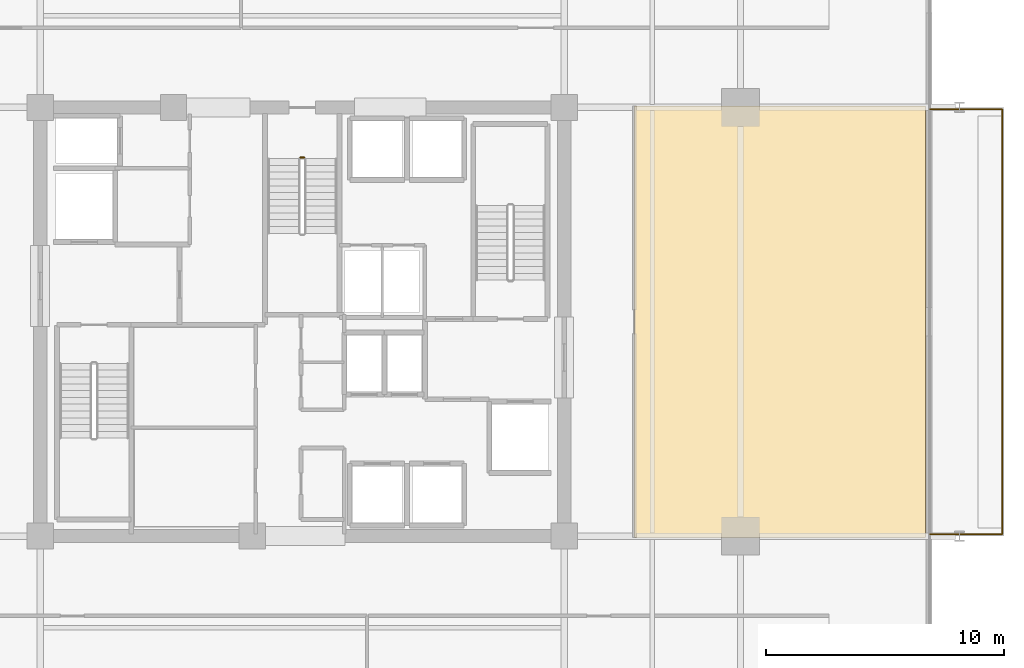
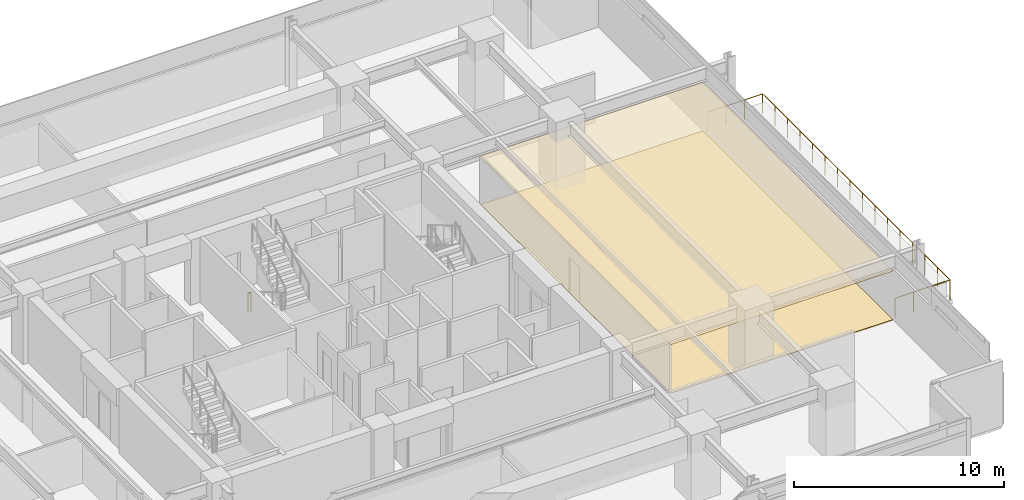
# One storey, part 23 of 24: 2 coverings, 2 railings.
"""IFC4 building model written with IfcOpenShell, lengths in metres."""

from ifc_helpers import new_model, si_unit, direction, frame, origin, origin_2d, place, context, subcontext, project, spatial, polyline, circle, outline, extrude, material, layer, layer_set, type_object, element, save


model = new_model("IFC4")

# Units and contexts
model_context = context("Model", 3, precision=1e-05, world=origin(), true_north=direction((0.0, 1.0)))
body_context = subcontext(model_context, "Body", "Model", "MODEL_VIEW")
ifc_project = project(units=[si_unit("LENGTHUNIT", "METRE"), si_unit("AREAUNIT", "SQUARE_METRE"), si_unit("VOLUMEUNIT", "CUBIC_METRE"), si_unit("PLANEANGLEUNIT", "RADIAN"), si_unit("MASSUNIT", "GRAM", prefix="KILO")], contexts=[model_context])

# Site, building, storey
site_placement = place(None, origin())
site = spatial("IfcSite", under=ifc_project, at=site_placement, CompositionType="ELEMENT")
building_placement = place(site_placement, origin())
building = spatial("IfcBuilding", under=site, at=building_placement, Name="Kovane Verandah Tower", CompositionType="ELEMENT")
storey_placement = place(building_placement, frame((0.0, 0.0, 132.39990234375)))
storey = spatial("IfcBuildingStorey", under=building, at=storey_placement, Name="L30", CompositionType="ELEMENT", Elevation=132.39990234375)

# Coverings
ifc_material_1 = material(Name="Perforated Acoustic Mineral-Fibre Ceiling Tile", Category="gypsum")
ifc_layer_1 = layer(ifc_material_1, 0.02490234375)
ifc_layer_set_1 = layer_set([ifc_layer_1], Name="Perforated Acoustic Mineral-Fibre Ceiling Tile")
covering_type_1 = type_object("IfcCoveringType", Name="CV-CEIL-25", PredefinedType="CEILING", material=ifc_layer_set_1)
covering_1_placement = place(storey_placement, frame((0.0, 0.0, 2.8251953125)))
element("IfcCovering", 1, at=covering_1_placement, inside=storey, type_object=covering_type_1, Name="L30 Document and Print Room E1 Acoustic Ceiling", PredefinedType="CEILING", context=body_context, shape_type="SweptSolid", body=[
    extrude(outline(polyline([(53.949951171875, 18.449951171875), (66.1640625, 18.449951171875), (66.1640625, 36.550048828125), (53.949951171875, 36.550048828125), (53.949951171875, 18.449951171875)])), origin(), (0.0, 0.0, 1.0), 0.02490234375),
])
ifc_material_2 = material(Name="Polished Terrazzo and Raised-Access Carpet Tile Finish", Category="concrete")
ifc_layer_2 = layer(ifc_material_2, 0.030029296875)
ifc_layer_set_2 = layer_set([ifc_layer_2], Name="Polished Terrazzo and Raised-Access Carpet Tile Finish")
covering_type_2 = type_object("IfcCoveringType", Name="CV-FLOR-30", PredefinedType="FLOORING", material=ifc_layer_set_2)
covering_2_placement = place(storey_placement, origin())
element("IfcCovering", 2, at=covering_2_placement, inside=storey, type_object=covering_type_2, Name="L30 Document and Print Room E1 Floor Finish", PredefinedType="FLOORING", context=body_context, shape_type="SweptSolid", body=[
    extrude(outline(polyline([(53.949951171875, 18.449951171875), (66.1640625, 18.449951171875), (66.1640625, 36.550048828125), (53.949951171875, 36.550048828125), (53.949951171875, 18.449951171875)])), origin(), (0.0, 0.0, 1.0), 0.030029296875),
])

# Railings
ifc_material_3 = material(Name="Laminated Glass and Pale-Champagne Stainless Balustrade", Category="glass")
railing_type_1 = type_object("IfcRailingType", Name="RL-BAL-1150", PredefinedType="BALUSTRADE", material=ifc_material_3)
railing_1_placement = place(storey_placement, frame((66.364013671875, 18.580078125, 0.0)))
element("IfcRailing", 3, at=railing_1_placement, inside=storey, type_object=railing_type_1, Name="L30 E Verandah Glass Balustrade", PredefinedType="BALUSTRADE", context=body_context, shape_type="SweptSolid", body=[
    extrude(circle(Radius=0.02392578125, at=origin_2d()), frame((0.0, 0.0, 1.1259765625), z_axis=(1.0, 0.0, 0.0), x_axis=(0.0, 1.0, 0.0)), (0.0, 0.0, 1.0), 3.02001953125),
    extrude(circle(Radius=0.02392578125, at=origin_2d()), frame((3.02001953125, 0.0, 1.1259765625), z_axis=(0.0, 1.0, 0.0), x_axis=(-1.0, 0.0, 0.0)), (0.0, 0.0, 1.0), 17.83984375),
    extrude(circle(Radius=0.02392578125, at=origin_2d()), frame((3.02001953125, 17.83984375, 1.1259765625), z_axis=(-1.0, 0.0, 0.0), x_axis=(0.0, -1.0, 0.0)), (0.0, 0.0, 1.0), 3.02001953125),
    extrude(circle(Radius=0.02099609375, at=origin_2d()), origin(), (0.0, 0.0, 1.0), 1.101806640625),
    extrude(circle(Radius=0.02099609375, at=origin_2d()), frame((1.006591796875, 0.0, 0.0)), (0.0, 0.0, 1.0), 1.101806640625),
    extrude(circle(Radius=0.02099609375, at=origin_2d()), frame((2.013427734375, 0.0, 0.0)), (0.0, 0.0, 1.0), 1.101806640625),
    extrude(circle(Radius=0.02099609375, at=origin_2d()), frame((3.02001953125, 0.0, 0.0)), (0.0, 0.0, 1.0), 1.101806640625),
    extrude(circle(Radius=0.02099609375, at=origin_2d()), frame((3.02001953125, 1.189208984375, 0.0)), (0.0, 0.0, 1.0), 1.101806640625),
    extrude(circle(Radius=0.02099609375, at=origin_2d()), frame((3.02001953125, 2.378662109375, 0.0)), (0.0, 0.0, 1.0), 1.101806640625),
    extrude(circle(Radius=0.02099609375, at=origin_2d()), frame((3.02001953125, 3.56787109375, 0.0)), (0.0, 0.0, 1.0), 1.101806640625),
    extrude(circle(Radius=0.02099609375, at=origin_2d()), frame((3.02001953125, 4.75732421875, 0.0)), (0.0, 0.0, 1.0), 1.101806640625),
    extrude(circle(Radius=0.02099609375, at=origin_2d()), frame((3.02001953125, 5.946533203125, 0.0)), (0.0, 0.0, 1.0), 1.101806640625),
    extrude(circle(Radius=0.02099609375, at=origin_2d()), frame((3.02001953125, 7.135986328125, 0.0)), (0.0, 0.0, 1.0), 1.101806640625),
    extrude(circle(Radius=0.02099609375, at=origin_2d()), frame((3.02001953125, 8.3251953125, 0.0)), (0.0, 0.0, 1.0), 1.101806640625),
    extrude(circle(Radius=0.02099609375, at=origin_2d()), frame((3.02001953125, 9.5146484375, 0.0)), (0.0, 0.0, 1.0), 1.101806640625),
    extrude(circle(Radius=0.02099609375, at=origin_2d()), frame((3.02001953125, 10.703857421875, 0.0)), (0.0, 0.0, 1.0), 1.101806640625),
    extrude(circle(Radius=0.02099609375, at=origin_2d()), frame((3.02001953125, 11.893310546875, 0.0)), (0.0, 0.0, 1.0), 1.101806640625),
    extrude(circle(Radius=0.02099609375, at=origin_2d()), frame((3.02001953125, 13.08251953125, 0.0)), (0.0, 0.0, 1.0), 1.101806640625),
    extrude(circle(Radius=0.02099609375, at=origin_2d()), frame((3.02001953125, 14.27197265625, 0.0)), (0.0, 0.0, 1.0), 1.101806640625),
    extrude(circle(Radius=0.02099609375, at=origin_2d()), frame((3.02001953125, 15.461181640625, 0.0)), (0.0, 0.0, 1.0), 1.101806640625),
    extrude(circle(Radius=0.02099609375, at=origin_2d()), frame((3.02001953125, 16.650634765625, 0.0)), (0.0, 0.0, 1.0), 1.101806640625),
    extrude(circle(Radius=0.02099609375, at=origin_2d()), frame((3.02001953125, 17.83984375, 0.0)), (0.0, 0.0, 1.0), 1.101806640625),
    extrude(circle(Radius=0.02099609375, at=origin_2d()), frame((2.013427734375, 17.83984375, 0.0)), (0.0, 0.0, 1.0), 1.101806640625),
    extrude(circle(Radius=0.02099609375, at=origin_2d()), frame((1.006591796875, 17.83984375, 0.0)), (0.0, 0.0, 1.0), 1.101806640625),
    extrude(circle(Radius=0.02099609375, at=origin_2d()), frame((0.0, 17.83984375, 0.0)), (0.0, 0.0, 1.0), 1.101806640625),
])
ifc_material_4 = material(Name="Painted Steel Stairwell Guardrail", Category="steel")
railing_type_2 = type_object("IfcRailingType", Name="RL-STGUARD-1120", PredefinedType="GUARDRAIL", material=ifc_material_4)
railing_2_placement = place(storey_placement, frame((39.919921875, 34.39990234375, 0.0)))
element("IfcRailing", 4, at=railing_2_placement, inside=storey, type_object=railing_type_2, Name="L30 ST-03 stair guard 4", PredefinedType="GUARDRAIL", context=body_context, shape_type="SweptSolid", body=[
    extrude(circle(Radius=0.02392578125, at=origin_2d()), frame((0.0, 0.0, 1.076171875), z_axis=(1.0, 0.0, 0.0), x_axis=(0.0, 1.0, 0.0)), (0.0, 0.0, 1.0), 0.16015625),
    extrude(circle(Radius=0.02099609375, at=origin_2d()), origin(), (0.0, 0.0, 1.0), 1.052001953125),
    extrude(circle(Radius=0.02099609375, at=origin_2d()), frame((0.16015625, 0.0, 0.0)), (0.0, 0.0, 1.0), 1.052001953125),
])

save(model, "model.ifc")
